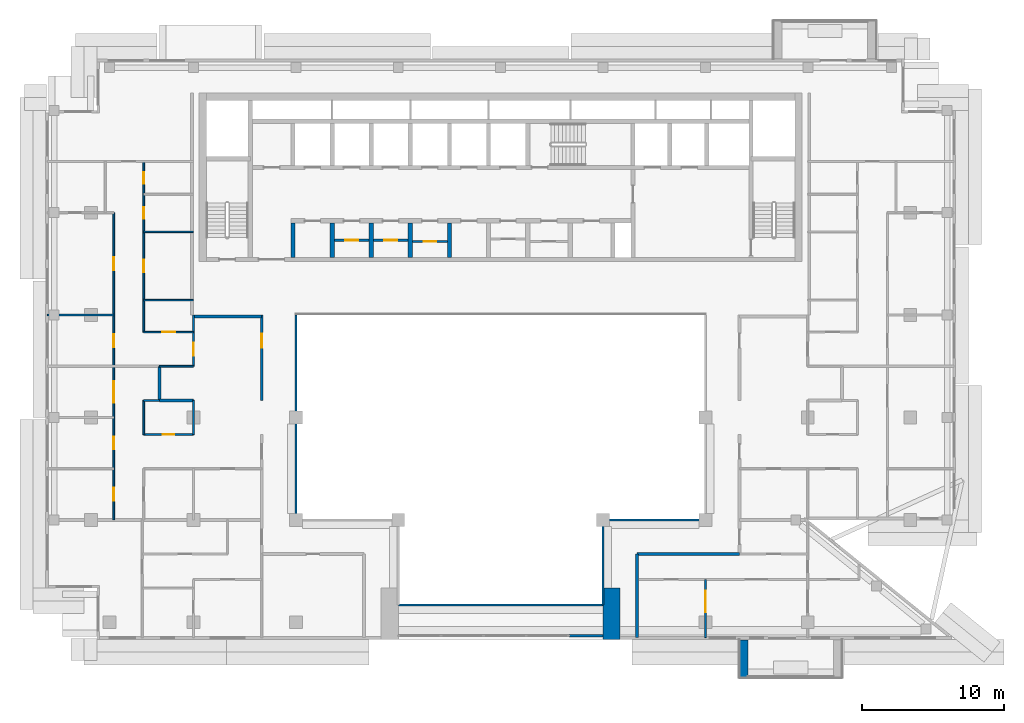
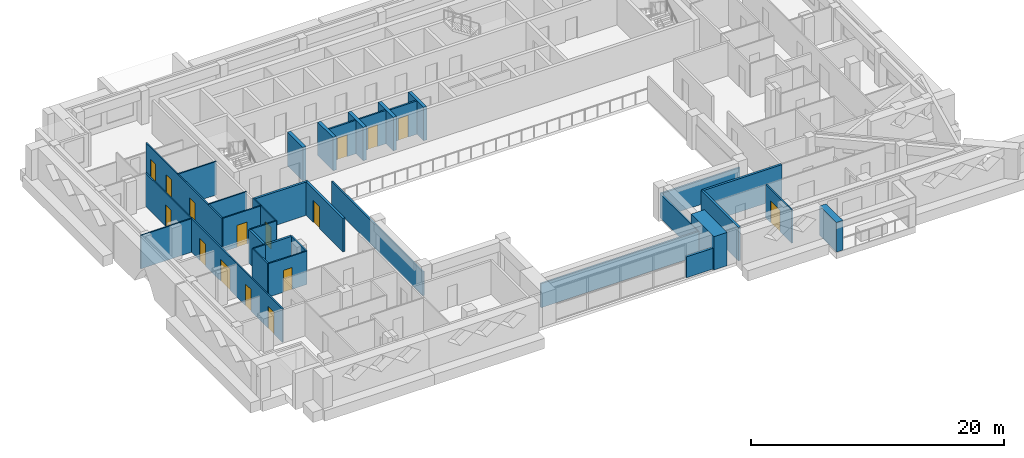
# One storey, part 7 of 19: 34 walls, 16 doors, 16 openings.
"""IFC4 building model written with IfcOpenShell, lengths in metres."""

from ifc_helpers import new_model, si_unit, direction, frame, frame_2d, origin, place, context, subcontext, project, spatial, rectangle, extrude, material, layer, layer_set, type_object, element, fill, save


model = new_model("IFC4")

# Units and contexts
model_context = context("Model", 3, precision=1e-05, world=origin(), true_north=direction((0.0, 1.0)))
body_context = subcontext(model_context, "Body", "Model", "MODEL_VIEW")
ifc_project = project(units=[si_unit("LENGTHUNIT", "METRE"), si_unit("AREAUNIT", "SQUARE_METRE"), si_unit("VOLUMEUNIT", "CUBIC_METRE"), si_unit("PLANEANGLEUNIT", "RADIAN"), si_unit("MASSUNIT", "GRAM", prefix="KILO")], contexts=[model_context])

# Site, building, storey
site_placement = place(None, origin())
site = spatial("IfcSite", under=ifc_project, at=site_placement, CompositionType="ELEMENT")
building_placement = place(site_placement, origin())
building = spatial("IfcBuilding", under=site, at=building_placement, Name="Saffron Iwan Residences", CompositionType="ELEMENT")
storey_placement = place(building_placement, frame((0.0, 0.0, 215.0)))
storey = spatial("IfcBuildingStorey", under=building, at=storey_placement, Name="L57", CompositionType="ELEMENT", Elevation=215.0)

# Walls
ifc_material_1 = material(Name="Fire-rated glazing", Category="glass")
ifc_layer_1 = layer(ifc_material_1, 0.14990234375)
ifc_layer_set_1 = layer_set([ifc_layer_1], Name="Fire-rated glazing")
wall_type_1 = type_object("IfcWallType", Name="Atrium glazed screen 150", PredefinedType="SOLIDWALL", material=ifc_layer_set_1)
wall_1_placement = place(storey_placement, frame((43.199951171875, 42.0, 0.0), z_axis=(0.0, 0.0, 1.0), x_axis=(1.0, 0.0, 0.0)))
element("IfcWall", 1, at=wall_1_placement, inside=storey, type_object=wall_type_1, Name="W-L57-SCREEN-h42-43.2", PredefinedType="SOLIDWALL", context=body_context, shape_type="SweptSolid", body=[
    extrude(rectangle(XDim=14.400146484375, YDim=0.14990234375, at=frame_2d((7.2001953125, 0.0))), origin(), (0.0, 0.0, 1.0), 2.320068359375),
])
wall_2_placement = place(storey_placement, frame((57.60009765625, 48.0, 0.0), z_axis=(0.0, 0.0, 1.0), x_axis=(1.0, 0.0, 0.0)))
element("IfcWall", 2, at=wall_2_placement, inside=storey, type_object=wall_type_1, Name="W-L57-SCREEN-h48-57.6", PredefinedType="SOLIDWALL", context=body_context, shape_type="SweptSolid", body=[
    extrude(rectangle(XDim=7.199951171875, YDim=0.14990234375, at=frame_2d((3.60009765625, 0.0))), origin(), (0.0, 0.0, 1.0), 2.320068359375),
])
wall_3_placement = place(storey_placement, frame((36.0, 48.0, 0.0), z_axis=(0.0, 0.0, 1.0), x_axis=(0.0, 1.0, 0.0)))
element("IfcWall", 3, at=wall_3_placement, inside=storey, type_object=wall_type_1, Name="W-L57-SCREEN-v36-48", PredefinedType="SOLIDWALL", context=body_context, shape_type="SweptSolid", body=[
    extrude(rectangle(XDim=14.39990234375, YDim=0.14990234375, at=frame_2d((7.199951171875, 0.0))), origin(), (0.0, 0.0, 1.0), 2.320068359375),
])
wall_4_placement = place(storey_placement, frame((57.60009765625, 42.0, 0.0), z_axis=(0.0, 0.0, 1.0), x_axis=(0.0, 1.0, 0.0)))
element("IfcWall", 4, at=wall_4_placement, inside=storey, type_object=wall_type_1, Name="W-L57-SCREEN-v57.6-42", PredefinedType="SOLIDWALL", context=body_context, shape_type="SweptSolid", body=[
    extrude(rectangle(XDim=6.0, YDim=0.14990234375, at=frame_2d((3.0, 0.0))), origin(), (0.0, 0.0, 1.0), 2.320068359375),
])
ifc_material_2 = material(Name="Concrete C50/60 white painted", Category="concrete")
ifc_layer_2 = layer(ifc_material_2, 0.60009765625)
ifc_layer_set_2 = layer_set([ifc_layer_2], Name="Concrete C50/60 white painted")
wall_type_2 = type_object("IfcWallType", Name="BALCONY FIN 600", PredefinedType="SOLIDWALL", material=ifc_layer_set_2)
wall_5_placement = place(storey_placement, frame((67.5, 39.550048828125, 0.0), z_axis=(0.0, 0.0, 1.0), x_axis=(0.0, -1.0, 0.0)))
element("IfcWall", 5, at=wall_5_placement, inside=storey, type_object=wall_type_2, Name="Balcony fin L57 11-1a", PredefinedType="SOLIDWALL", context=body_context, shape_type="SweptSolid", body=[
    extrude(rectangle(XDim=2.650146484375, YDim=0.60009765625, at=frame_2d((1.3251953125, 0.0))), origin(), (0.0, 0.0, 1.0), 2.85009765625),
])

# Wall, opening, door
ifc_material_3 = material(Name="Fire-rated plasterboard partition")
ifc_layer_3 = layer(ifc_material_3, 0.14990234375)
ifc_layer_set_3 = layer_set([ifc_layer_3], Name="Fire-rated plasterboard partition")
wall_type_3 = type_object("IfcWallType", Name="Core partition 150", PredefinedType="PARTITIONING", material=ifc_layer_set_3)
wall_6_placement = place(storey_placement, frame((38.699951171875, 67.66259765625, 0.0), z_axis=(0.0, 0.0, 1.0), x_axis=(1.0, 0.0, 0.0)))
wall_6 = element("IfcWall", 6, at=wall_6_placement, inside=storey, type_object=wall_type_3, Name="Core partition P01", PredefinedType="PARTITIONING", context=body_context, shape_type="SweptSolid", body=[
    extrude(rectangle(XDim=2.449951171875, YDim=0.14990234375, at=frame_2d((1.22509765625, 0.0))), origin(), (0.0, 0.0, 1.0), 3.219970703125),
])
opening_1_placement = place(wall_6_placement, frame((0.77490234375, 0.0, 0.0)))
opening_1 = element("IfcOpeningElement", 7, at=opening_1_placement, cuts=wall_6, Name="Opening SB", PredefinedType="OPENING", context=body_context, shape_type="SweptSolid", body=[
    extrude(rectangle(XDim=0.89990234375, YDim=2.10009765625, at=frame_2d((0.449951171875, 1.050048828125))), frame((0.0, 0.0849609375, 0.0), z_axis=(0.0, -1.0, 0.0), x_axis=(1.0, 0.0, 0.0)), (0.0, 0.0, 1.0), 0.169921875),
])
ifc_material_4 = material(Name="Steel fire door", Category="steel")
door_type_1 = type_object("IfcDoorType", Name="Store door 900", OperationType="NOTDEFINED", PredefinedType="DOOR", material=ifc_material_4)
door_1_placement = place(opening_1_placement, origin())
door_1 = element("IfcDoor", 8, at=door_1_placement, inside=storey, type_object=door_type_1, Name="Door Records store", OperationType="SINGLE_SWING_LEFT", OverallHeight=2.10009765625, OverallWidth=0.89990234375, PredefinedType="DOOR", context=body_context, shape_type="SweptSolid", body=[
    extrude(rectangle(XDim=0.89990234375, YDim=2.10009765625, at=frame_2d((0.449951171875, 1.050048828125))), frame((0.0, 0.02490234375, 0.0), z_axis=(0.0, -1.0, 0.0), x_axis=(1.0, 0.0, 0.0)), (0.0, 0.0, 1.0), 0.050048828125),
])
fill(opening_1, door_1)

wall_7_placement = place(storey_placement, frame((41.449951171875, 67.66259765625, 0.0), z_axis=(0.0, 0.0, 1.0), x_axis=(1.0, 0.0, 0.0)))
wall_7 = element("IfcWall", 9, at=wall_7_placement, inside=storey, type_object=wall_type_3, Name="Core partition P02", PredefinedType="PARTITIONING", context=body_context, shape_type="SweptSolid", body=[
    extrude(rectangle(XDim=2.449951171875, YDim=0.14990234375, at=frame_2d((1.22509765625, 0.0))), origin(), (0.0, 0.0, 1.0), 3.219970703125),
])
opening_2_placement = place(wall_7_placement, frame((0.77490234375, 0.0, 0.0)))
opening_2 = element("IfcOpeningElement", 10, at=opening_2_placement, cuts=wall_7, Name="Opening SB", PredefinedType="OPENING", context=body_context, shape_type="SweptSolid", body=[
    extrude(rectangle(XDim=0.89990234375, YDim=2.10009765625, at=frame_2d((0.449951171875, 1.050048828125))), frame((0.0, 0.0849609375, 0.0), z_axis=(0.0, -1.0, 0.0), x_axis=(1.0, 0.0, 0.0)), (0.0, 0.0, 1.0), 0.169921875),
])
door_2_placement = place(opening_2_placement, origin())
door_2 = element("IfcDoor", 11, at=door_2_placement, inside=storey, type_object=door_type_1, Name="Door Stationery store", OperationType="SINGLE_SWING_RIGHT", OverallHeight=2.10009765625, OverallWidth=0.89990234375, PredefinedType="DOOR", context=body_context, shape_type="SweptSolid", body=[
    extrude(rectangle(XDim=0.89990234375, YDim=2.10009765625, at=frame_2d((0.449951171875, 1.050048828125))), frame((0.0, 0.02490234375, 0.0), z_axis=(0.0, -1.0, 0.0), x_axis=(1.0, 0.0, 0.0)), (0.0, 0.0, 1.0), 0.050048828125),
])
fill(opening_2, door_2)

wall_8_placement = place(storey_placement, frame((44.199951171875, 67.5654296875, 0.0), z_axis=(0.0, 0.0, 1.0), x_axis=(1.0, 0.0, 0.0)))
wall_8 = element("IfcWall", 12, at=wall_8_placement, inside=storey, type_object=wall_type_3, Name="Core partition P03", PredefinedType="PARTITIONING", context=body_context, shape_type="SweptSolid", body=[
    extrude(rectangle(XDim=2.449951171875, YDim=0.14990234375, at=frame_2d((1.22509765625, 0.0))), origin(), (0.0, 0.0, 1.0), 3.219970703125),
])
opening_3_placement = place(wall_8_placement, frame((0.77490234375, 0.0, 0.0)))
opening_3 = element("IfcOpeningElement", 13, at=opening_3_placement, cuts=wall_8, Name="Opening SB", PredefinedType="OPENING", context=body_context, shape_type="SweptSolid", body=[
    extrude(rectangle(XDim=0.89990234375, YDim=2.10009765625, at=frame_2d((0.449951171875, 1.050048828125))), frame((0.0, 0.0849609375, 0.0), z_axis=(0.0, -1.0, 0.0), x_axis=(1.0, 0.0, 0.0)), (0.0, 0.0, 1.0), 0.169921875),
])
door_3_placement = place(opening_3_placement, origin())
door_3 = element("IfcDoor", 14, at=door_3_placement, inside=storey, type_object=door_type_1, Name="Door Tool store", OperationType="SINGLE_SWING_LEFT", OverallHeight=2.10009765625, OverallWidth=0.89990234375, PredefinedType="DOOR", context=body_context, shape_type="SweptSolid", body=[
    extrude(rectangle(XDim=0.89990234375, YDim=2.10009765625, at=frame_2d((0.449951171875, 1.050048828125))), frame((0.0, 0.02490234375, 0.0), z_axis=(0.0, -1.0, 0.0), x_axis=(1.0, 0.0, 0.0)), (0.0, 0.0, 1.0), 0.050048828125),
])
fill(opening_3, door_3)

# Walls
ifc_material_5 = material(Name="Concrete C40/50", Category="concrete")
ifc_layer_4 = layer(ifc_material_5, 0.199951171875)
ifc_layer_set_4 = layer_set([ifc_layer_4], Name="Concrete C40/50")
wall_type_4 = type_object("IfcWallType", Name="EXTERNAL WALL 200", PredefinedType="SOLIDWALL", material=ifc_layer_set_4)
wall_9_placement = place(storey_placement, frame((55.199951171875, 39.85009765625, 0.0), z_axis=(0.0, 0.0, 1.0), x_axis=(1.0, 0.0, 0.0)))
element("IfcWall", 15, at=wall_9_placement, inside=storey, type_object=wall_type_4, Name="External wall infill CWB-L57-0", PredefinedType="SOLIDWALL", context=body_context, shape_type="SweptSolid", body=[
    extrude(rectangle(XDim=2.400146484375, YDim=0.199951171875, at=frame_2d((1.2001953125, 0.0))), origin(), (0.0, 0.0, 1.0), 2.02001953125),
])
ifc_material_6 = material(Name="Fire-rated gypsum board wall")
ifc_layer_5 = layer(ifc_material_6, 0.199951171875)
ifc_layer_set_5 = layer_set([ifc_layer_5], Name="Fire-rated gypsum board wall")
wall_type_5 = type_object("IfcWallType", Name="Flat demising wall 200", PredefinedType="SOLIDWALL", material=ifc_layer_set_5)
for number, where, z_axis, x_axis, name in (
    (16, (26.39990234375, 56.39990234375, 0.0), (0.0, 0.0, 1.0), (1.0, 0.0, 0.0), "W-L57-DEMISE-h56.4-26.4"),
    (17, (26.39990234375, 56.39990234375, 0.0), (0.0, 0.0, 1.0), (0.0, 1.0, 0.0), "W-L57-DEMISE-v26.4-56.4"),
):
    element("IfcWall", number, at=place(storey_placement, frame(where, z_axis=z_axis, x_axis=x_axis)), inside=storey, type_object=wall_type_5, Name=name, PredefinedType="SOLIDWALL", context=body_context, shape_type="SweptSolid", body=[
        extrude(rectangle(XDim=2.400146484375, YDim=0.199951171875, at=frame_2d((1.2001953125, 0.0))), origin(), (0.0, 0.0, 1.0), 3.219970703125),
    ])

# Wall, opening, door
ifc_material_7 = material(Name="Gypsum board partition")
ifc_layer_6 = layer(ifc_material_7, 0.1201171875)
ifc_layer_set_6 = layer_set([ifc_layer_6], Name="Gypsum board partition")
wall_type_6 = type_object("IfcWallType", Name="Flat partition 120", PredefinedType="PARTITIONING", material=ifc_layer_set_6)
wall_10_placement = place(storey_placement, frame((25.300048828125, 54.0, 0.0), z_axis=(0.0, 0.0, 1.0), x_axis=(1.0, 0.0, 0.0)))
wall_10 = element("IfcWall", 18, at=wall_10_placement, inside=storey, type_object=wall_type_6, Name="W-L57-PART-h54-25.3", PredefinedType="PARTITIONING", context=body_context, shape_type="SweptSolid", body=[
    extrude(rectangle(XDim=3.5, YDim=0.1201171875, at=frame_2d((1.75, 0.0))), origin(), (0.0, 0.0, 1.0), 3.219970703125),
])
opening_4_placement = place(wall_10_placement, frame((1.35009765625, 0.0, 0.0)))
opening_4 = element("IfcOpeningElement", 19, at=opening_4_placement, cuts=wall_10, Name="Opening FD3", PredefinedType="OPENING", context=body_context, shape_type="SweptSolid", body=[
    extrude(rectangle(XDim=0.800048828125, YDim=2.10009765625, at=frame_2d((0.39990234375, 1.050048828125))), frame((0.0, 0.070068359375, 0.0), z_axis=(0.0, -1.0, 0.0), x_axis=(1.0, 0.0, 0.0)), (0.0, 0.0, 1.0), 0.14013671875),
])
ifc_material_8 = material(Name="Timber door", Category="wood")
door_type_2 = type_object("IfcDoorType", Name="Bathroom door 800", OperationType="NOTDEFINED", PredefinedType="DOOR", material=ifc_material_8)
door_4_placement = place(opening_4_placement, origin())
door_4 = element("IfcDoor", 20, at=door_4_placement, inside=storey, type_object=door_type_2, Name="Door L57-012", OperationType="SINGLE_SWING_LEFT", OverallHeight=2.10009765625, OverallWidth=0.800048828125, PredefinedType="DOOR", context=body_context, shape_type="SweptSolid", body=[
    extrude(rectangle(XDim=0.800048828125, YDim=2.10009765625, at=frame_2d((0.39990234375, 1.050048828125))), frame((0.0, 0.02490234375, 0.0), z_axis=(0.0, -1.0, 0.0), x_axis=(1.0, 0.0, 0.0)), (0.0, 0.0, 1.0), 0.050048828125),
])
fill(opening_4, door_4)

# Walls
wall_11_placement = place(storey_placement, frame((25.300048828125, 56.39990234375, 0.0), z_axis=(0.0, 0.0, 1.0), x_axis=(1.0, 0.0, 0.0)))
element("IfcWall", 21, at=wall_11_placement, inside=storey, type_object=wall_type_6, Name="W-L57-PART-h56.4-25.3", PredefinedType="PARTITIONING", context=body_context, shape_type="SweptSolid", body=[
    extrude(rectangle(XDim=1.099853515625, YDim=0.1201171875, at=frame_2d((0.5498046875, 0.0))), origin(), (0.0, 0.0, 1.0), 3.219970703125),
])
wall_12_placement = place(storey_placement, frame((26.39990234375, 58.800048828125, 0.0), z_axis=(0.0, 0.0, 1.0), x_axis=(1.0, 0.0, 0.0)))
element("IfcWall", 22, at=wall_12_placement, inside=storey, type_object=wall_type_6, Name="W-L57-PART-h58.8-26.4", PredefinedType="PARTITIONING", context=body_context, shape_type="SweptSolid", body=[
    extrude(rectangle(XDim=2.400146484375, YDim=0.1201171875, at=frame_2d((1.2001953125, 0.0))), origin(), (0.0, 0.0, 1.0), 3.219970703125),
])

# Wall, opening, door
wall_13_placement = place(storey_placement, frame((25.300048828125, 61.199951171875, 0.0), z_axis=(0.0, 0.0, 1.0), x_axis=(1.0, 0.0, 0.0)))
wall_13 = element("IfcWall", 23, at=wall_13_placement, inside=storey, type_object=wall_type_6, Name="W-L57-PART-h61.2-25.3", PredefinedType="PARTITIONING", context=body_context, shape_type="SweptSolid", body=[
    extrude(rectangle(XDim=3.5, YDim=0.1201171875, at=frame_2d((1.75, 0.0))), origin(), (0.0, 0.0, 1.0), 3.219970703125),
])
opening_5_placement = place(wall_13_placement, frame((1.300048828125, 0.0, 0.0)))
opening_5 = element("IfcOpeningElement", 24, at=opening_5_placement, cuts=wall_13, Name="Opening FD2", PredefinedType="OPENING", context=body_context, shape_type="SweptSolid", body=[
    extrude(rectangle(XDim=0.89990234375, YDim=2.10009765625, at=frame_2d((0.449951171875, 1.050048828125))), frame((0.0, 0.070068359375, 0.0), z_axis=(0.0, -1.0, 0.0), x_axis=(1.0, 0.0, 0.0)), (0.0, 0.0, 1.0), 0.14013671875),
])
door_type_3 = type_object("IfcDoorType", Name="Flat door 900", OperationType="NOTDEFINED", PredefinedType="DOOR", material=ifc_material_8)
door_5_placement = place(opening_5_placement, origin())
door_5 = element("IfcDoor", 25, at=door_5_placement, inside=storey, type_object=door_type_3, Name="Door L57-026", OperationType="SINGLE_SWING_LEFT", OverallHeight=2.10009765625, OverallWidth=0.89990234375, PredefinedType="DOOR", context=body_context, shape_type="SweptSolid", body=[
    extrude(rectangle(XDim=0.89990234375, YDim=2.10009765625, at=frame_2d((0.449951171875, 1.050048828125))), frame((0.0, 0.02490234375, 0.0), z_axis=(0.0, -1.0, 0.0), x_axis=(1.0, 0.0, 0.0)), (0.0, 0.0, 1.0), 0.050048828125),
])
fill(opening_5, door_5)

# Walls
wall_14_placement = place(storey_placement, frame((18.52490234375, 62.39990234375, 0.0), z_axis=(0.0, 0.0, 1.0), x_axis=(1.0, 0.0, 0.0)))
element("IfcWall", 26, at=wall_14_placement, inside=storey, type_object=wall_type_6, Name="W-L57-PART-h62.4-18.525", PredefinedType="PARTITIONING", context=body_context, shape_type="SweptSolid", body=[
    extrude(rectangle(XDim=4.675048828125, YDim=0.1201171875, at=frame_2d((2.33740234375, 0.0))), origin(), (0.0, 0.0, 1.0), 3.219970703125),
])
for number, where, z_axis, x_axis, name in (
    (27, (25.300048828125, 63.449951171875, 0.0), (0.0, 0.0, 1.0), (1.0, 0.0, 0.0), "W-L57-PART-h63.45-25.3"),
    (28, (25.300048828125, 68.25, 0.0), (0.0, 0.0, 1.0), (1.0, 0.0, 0.0), "W-L57-PART-h68.25-25.3"),
):
    element("IfcWall", number, at=place(storey_placement, frame(where, z_axis=z_axis, x_axis=x_axis)), inside=storey, type_object=wall_type_6, Name=name, PredefinedType="PARTITIONING", context=body_context, shape_type="SweptSolid", body=[
        extrude(rectangle(XDim=3.5, YDim=0.1201171875, at=frame_2d((1.75, 0.0))), origin(), (0.0, 0.0, 1.0), 3.219970703125),
    ])

# Wall, openings, doors
wall_15_placement = place(storey_placement, frame((23.199951171875, 48.0, 0.0), z_axis=(0.0, 0.0, 1.0), x_axis=(0.0, 1.0, 0.0)))
wall_15 = element("IfcWall", 29, at=wall_15_placement, inside=storey, type_object=wall_type_6, Name="W-L57-PART-v23.2-48", PredefinedType="PARTITIONING", context=body_context, shape_type="SweptSolid", body=[
    extrude(rectangle(XDim=21.60009765625, YDim=0.1201171875, at=frame_2d((10.800048828125, 0.0))), origin(), (0.0, 0.0, 1.0), 3.219970703125),
])
opening_6_placement = place(wall_15_placement, frame((1.35009765625, 0.0, 0.0)))
opening_6 = element("IfcOpeningElement", 30, at=opening_6_placement, cuts=wall_15, Name="Opening FD2", PredefinedType="OPENING", context=body_context, shape_type="SweptSolid", body=[
    extrude(rectangle(XDim=0.89990234375, YDim=2.10009765625, at=frame_2d((0.449951171875, 1.050048828125))), frame((0.0, 0.070068359375, 0.0), z_axis=(0.0, -1.0, 0.0), x_axis=(1.0, 0.0, 0.0)), (0.0, 0.0, 1.0), 0.14013671875),
])
opening_7_placement = place(wall_15_placement, frame((4.949951171875, 0.0, 0.0)))
opening_7 = element("IfcOpeningElement", 31, at=opening_7_placement, cuts=wall_15, Name="Opening FD2", PredefinedType="OPENING", context=body_context, shape_type="SweptSolid", body=[
    extrude(rectangle(XDim=0.89990234375, YDim=2.10009765625, at=frame_2d((0.449951171875, 1.050048828125))), frame((0.0, 0.070068359375, 0.0), z_axis=(0.0, -1.0, 0.0), x_axis=(1.0, 0.0, 0.0)), (0.0, 0.0, 1.0), 0.14013671875),
])
opening_8_placement = place(wall_15_placement, frame((8.25, 0.0, 0.0)))
opening_8 = element("IfcOpeningElement", 32, at=opening_8_placement, cuts=wall_15, Name="Opening FD4", PredefinedType="OPENING", context=body_context, shape_type="SweptSolid", body=[
    extrude(rectangle(XDim=1.5, YDim=2.10009765625, at=frame_2d((0.75, 1.050048828125))), frame((0.0, 0.070068359375, 0.0), z_axis=(0.0, -1.0, 0.0), x_axis=(1.0, 0.0, 0.0)), (0.0, 0.0, 1.0), 0.14013671875),
])
opening_9_placement = place(wall_15_placement, frame((12.14990234375, 0.0, 0.0)))
opening_9 = element("IfcOpeningElement", 33, at=opening_9_placement, cuts=wall_15, Name="Opening FD2", PredefinedType="OPENING", context=body_context, shape_type="SweptSolid", body=[
    extrude(rectangle(XDim=0.89990234375, YDim=2.10009765625, at=frame_2d((0.449951171875, 1.050048828125))), frame((0.0, 0.070068359375, 0.0), z_axis=(0.0, -1.0, 0.0), x_axis=(1.0, 0.0, 0.0)), (0.0, 0.0, 1.0), 0.14013671875),
])
opening_10_placement = place(wall_15_placement, frame((17.550048828125, 0.0, 0.0)))
opening_10 = element("IfcOpeningElement", 34, at=opening_10_placement, cuts=wall_15, Name="Opening FD2", PredefinedType="OPENING", context=body_context, shape_type="SweptSolid", body=[
    extrude(rectangle(XDim=0.89990234375, YDim=2.10009765625, at=frame_2d((0.449951171875, 1.050048828125))), frame((0.0, 0.070068359375, 0.0), z_axis=(0.0, -1.0, 0.0), x_axis=(1.0, 0.0, 0.0)), (0.0, 0.0, 1.0), 0.14013671875),
])
door_type_4 = type_object("IfcDoorType", Name="Double door 1500", OperationType="NOTDEFINED", PredefinedType="DOOR", material=ifc_material_8)
door_6_placement = place(opening_8_placement, origin())
door_6 = element("IfcDoor", 35, at=door_6_placement, inside=storey, type_object=door_type_4, Name="Door L57-010", OperationType="SINGLE_SWING_RIGHT", OverallHeight=2.10009765625, OverallWidth=1.5, PredefinedType="DOOR", context=body_context, shape_type="SweptSolid", body=[
    extrude(rectangle(XDim=1.5, YDim=2.10009765625, at=frame_2d((0.75, 1.050048828125))), frame((0.0, 0.02490234375, 0.0), z_axis=(0.0, -1.0, 0.0), x_axis=(1.0, 0.0, 0.0)), (0.0, 0.0, 1.0), 0.050048828125),
])
fill(opening_8, door_6)
door_7_placement = place(opening_6_placement, origin())
door_7 = element("IfcDoor", 36, at=door_7_placement, inside=storey, type_object=door_type_3, Name="Door L57-008", OperationType="SINGLE_SWING_LEFT", OverallHeight=2.10009765625, OverallWidth=0.89990234375, PredefinedType="DOOR", context=body_context, shape_type="SweptSolid", body=[
    extrude(rectangle(XDim=0.89990234375, YDim=2.10009765625, at=frame_2d((0.449951171875, 1.050048828125))), frame((0.0, 0.02490234375, 0.0), z_axis=(0.0, -1.0, 0.0), x_axis=(1.0, 0.0, 0.0)), (0.0, 0.0, 1.0), 0.050048828125),
])
fill(opening_6, door_7)
door_8_placement = place(opening_7_placement, origin())
door_8 = element("IfcDoor", 37, at=door_8_placement, inside=storey, type_object=door_type_3, Name="Door L57-009", OperationType="SINGLE_SWING_LEFT", OverallHeight=2.10009765625, OverallWidth=0.89990234375, PredefinedType="DOOR", context=body_context, shape_type="SweptSolid", body=[
    extrude(rectangle(XDim=0.89990234375, YDim=2.10009765625, at=frame_2d((0.449951171875, 1.050048828125))), frame((0.0, 0.02490234375, 0.0), z_axis=(0.0, -1.0, 0.0), x_axis=(1.0, 0.0, 0.0)), (0.0, 0.0, 1.0), 0.050048828125),
])
fill(opening_7, door_8)
door_9_placement = place(opening_9_placement, origin())
door_9 = element("IfcDoor", 38, at=door_9_placement, inside=storey, type_object=door_type_3, Name="Door L57-022", OperationType="SINGLE_SWING_RIGHT", OverallHeight=2.10009765625, OverallWidth=0.89990234375, PredefinedType="DOOR", context=body_context, shape_type="SweptSolid", body=[
    extrude(rectangle(XDim=0.89990234375, YDim=2.10009765625, at=frame_2d((0.449951171875, 1.050048828125))), frame((0.0, 0.02490234375, 0.0), z_axis=(0.0, -1.0, 0.0), x_axis=(1.0, 0.0, 0.0)), (0.0, 0.0, 1.0), 0.050048828125),
])
fill(opening_9, door_9)
door_10_placement = place(opening_10_placement, origin())
door_10 = element("IfcDoor", 39, at=door_10_placement, inside=storey, type_object=door_type_3, Name="Door L57-023", OperationType="SINGLE_SWING_LEFT", OverallHeight=2.10009765625, OverallWidth=0.89990234375, PredefinedType="DOOR", context=body_context, shape_type="SweptSolid", body=[
    extrude(rectangle(XDim=0.89990234375, YDim=2.10009765625, at=frame_2d((0.449951171875, 1.050048828125))), frame((0.0, 0.02490234375, 0.0), z_axis=(0.0, -1.0, 0.0), x_axis=(1.0, 0.0, 0.0)), (0.0, 0.0, 1.0), 0.050048828125),
])
fill(opening_10, door_10)

# Wall
wall_16_placement = place(storey_placement, frame((25.300048828125, 54.0, 0.0), z_axis=(0.0, 0.0, 1.0), x_axis=(0.0, 1.0, 0.0)))
element("IfcWall", 40, at=wall_16_placement, inside=storey, type_object=wall_type_6, Name="W-L57-PART-v25.3-54", PredefinedType="PARTITIONING", context=body_context, shape_type="SweptSolid", body=[
    extrude(rectangle(XDim=2.39990234375, YDim=0.1201171875, at=frame_2d((1.199951171875, 0.0))), origin(), (0.0, 0.0, 1.0), 3.219970703125),
])

# Wall, openings, doors
wall_17_placement = place(storey_placement, frame((25.300048828125, 61.199951171875, 0.0), z_axis=(0.0, 0.0, 1.0), x_axis=(0.0, 1.0, 0.0)))
wall_17 = element("IfcWall", 41, at=wall_17_placement, inside=storey, type_object=wall_type_6, Name="W-L57-PART-v25.3-61.2", PredefinedType="PARTITIONING", context=body_context, shape_type="SweptSolid", body=[
    extrude(rectangle(XDim=12.0, YDim=0.1201171875, at=frame_2d((6.0, 0.0))), origin(), (0.0, 0.0, 1.0), 3.219970703125),
])
opening_11_placement = place(wall_17_placement, frame((4.199951171875, 0.0, 0.0)))
opening_11 = element("IfcOpeningElement", 42, at=opening_11_placement, cuts=wall_17, Name="Opening FD2", PredefinedType="OPENING", context=body_context, shape_type="SweptSolid", body=[
    extrude(rectangle(XDim=0.89990234375, YDim=2.10009765625, at=frame_2d((0.449951171875, 1.050048828125))), frame((0.0, 0.070068359375, 0.0), z_axis=(0.0, -1.0, 0.0), x_axis=(1.0, 0.0, 0.0)), (0.0, 0.0, 1.0), 0.14013671875),
])
opening_12_placement = place(wall_17_placement, frame((7.97509765625, 0.0, 0.0)))
opening_12 = element("IfcOpeningElement", 43, at=opening_12_placement, cuts=wall_17, Name="Opening FD3", PredefinedType="OPENING", context=body_context, shape_type="SweptSolid", body=[
    extrude(rectangle(XDim=0.800048828125, YDim=2.10009765625, at=frame_2d((0.39990234375, 1.050048828125))), frame((0.0, 0.070068359375, 0.0), z_axis=(0.0, -1.0, 0.0), x_axis=(1.0, 0.0, 0.0)), (0.0, 0.0, 1.0), 0.14013671875),
])
opening_13_placement = place(wall_17_placement, frame((10.449951171875, 0.0, 0.0)))
opening_13 = element("IfcOpeningElement", 44, at=opening_13_placement, cuts=wall_17, Name="Opening FD3", PredefinedType="OPENING", context=body_context, shape_type="SweptSolid", body=[
    extrude(rectangle(XDim=0.800048828125, YDim=2.10009765625, at=frame_2d((0.39990234375, 1.050048828125))), frame((0.0, 0.070068359375, 0.0), z_axis=(0.0, -1.0, 0.0), x_axis=(1.0, 0.0, 0.0)), (0.0, 0.0, 1.0), 0.14013671875),
])
door_11_placement = place(opening_12_placement, origin())
door_11 = element("IfcDoor", 45, at=door_11_placement, inside=storey, type_object=door_type_2, Name="Door L57-028", OperationType="SINGLE_SWING_RIGHT", OverallHeight=2.10009765625, OverallWidth=0.800048828125, PredefinedType="DOOR", context=body_context, shape_type="SweptSolid", body=[
    extrude(rectangle(XDim=0.800048828125, YDim=2.10009765625, at=frame_2d((0.39990234375, 1.050048828125))), frame((0.0, 0.02490234375, 0.0), z_axis=(0.0, -1.0, 0.0), x_axis=(1.0, 0.0, 0.0)), (0.0, 0.0, 1.0), 0.050048828125),
])
fill(opening_12, door_11)
door_12_placement = place(opening_13_placement, origin())
door_12 = element("IfcDoor", 46, at=door_12_placement, inside=storey, type_object=door_type_2, Name="Door L57-029", OperationType="SINGLE_SWING_LEFT", OverallHeight=2.10009765625, OverallWidth=0.800048828125, PredefinedType="DOOR", context=body_context, shape_type="SweptSolid", body=[
    extrude(rectangle(XDim=0.800048828125, YDim=2.10009765625, at=frame_2d((0.39990234375, 1.050048828125))), frame((0.0, 0.02490234375, 0.0), z_axis=(0.0, -1.0, 0.0), x_axis=(1.0, 0.0, 0.0)), (0.0, 0.0, 1.0), 0.050048828125),
])
fill(opening_13, door_12)
door_13_placement = place(opening_11_placement, origin())
door_13 = element("IfcDoor", 47, at=door_13_placement, inside=storey, type_object=door_type_3, Name="Door L57-027", OperationType="SINGLE_SWING_LEFT", OverallHeight=2.10009765625, OverallWidth=0.89990234375, PredefinedType="DOOR", context=body_context, shape_type="SweptSolid", body=[
    extrude(rectangle(XDim=0.89990234375, YDim=2.10009765625, at=frame_2d((0.449951171875, 1.050048828125))), frame((0.0, 0.02490234375, 0.0), z_axis=(0.0, -1.0, 0.0), x_axis=(1.0, 0.0, 0.0)), (0.0, 0.0, 1.0), 0.050048828125),
])
fill(opening_11, door_13)

# Wall
wall_18_placement = place(storey_placement, frame((28.800048828125, 54.0, 0.0), z_axis=(0.0, 0.0, 1.0), x_axis=(0.0, 1.0, 0.0)))
element("IfcWall", 48, at=wall_18_placement, inside=storey, type_object=wall_type_6, Name="W-L57-PART-v28.8-54", PredefinedType="PARTITIONING", context=body_context, shape_type="SweptSolid", body=[
    extrude(rectangle(XDim=2.39990234375, YDim=0.1201171875, at=frame_2d((1.199951171875, 0.0))), origin(), (0.0, 0.0, 1.0), 3.219970703125),
])

# Wall, opening, door
wall_19_placement = place(storey_placement, frame((28.800048828125, 58.800048828125, 0.0), z_axis=(0.0, 0.0, 1.0), x_axis=(0.0, 1.0, 0.0)))
wall_19 = element("IfcWall", 49, at=wall_19_placement, inside=storey, type_object=wall_type_6, Name="W-L57-PART-v28.8-58.8", PredefinedType="PARTITIONING", context=body_context, shape_type="SweptSolid", body=[
    extrude(rectangle(XDim=3.599853515625, YDim=0.1201171875, at=frame_2d((1.7998046875, 0.0))), origin(), (0.0, 0.0, 1.0), 3.219970703125),
])
opening_14_placement = place(wall_19_placement, frame((0.75, 0.0, 0.0)))
opening_14 = element("IfcOpeningElement", 50, at=opening_14_placement, cuts=wall_19, Name="Opening FD2", PredefinedType="OPENING", context=body_context, shape_type="SweptSolid", body=[
    extrude(rectangle(XDim=0.89990234375, YDim=2.10009765625, at=frame_2d((0.449951171875, 1.050048828125))), frame((0.0, 0.070068359375, 0.0), z_axis=(0.0, -1.0, 0.0), x_axis=(1.0, 0.0, 0.0)), (0.0, 0.0, 1.0), 0.14013671875),
])
door_14_placement = place(opening_14_placement, origin())
door_14 = element("IfcDoor", 51, at=door_14_placement, inside=storey, type_object=door_type_3, Name="Door L57-020", OperationType="SINGLE_SWING_LEFT", OverallHeight=2.10009765625, OverallWidth=0.89990234375, PredefinedType="DOOR", context=body_context, shape_type="SweptSolid", body=[
    extrude(rectangle(XDim=0.89990234375, YDim=2.10009765625, at=frame_2d((0.449951171875, 1.050048828125))), frame((0.0, 0.02490234375, 0.0), z_axis=(0.0, -1.0, 0.0), x_axis=(1.0, 0.0, 0.0)), (0.0, 0.0, 1.0), 0.050048828125),
])
fill(opening_14, door_14)

wall_20_placement = place(storey_placement, frame((64.800048828125, 39.72509765625, 0.0), z_axis=(0.0, 0.0, 1.0), x_axis=(0.0, 1.0, 0.0)))
wall_20 = element("IfcWall", 52, at=wall_20_placement, inside=storey, type_object=wall_type_6, Name="W-L57-PART-v64.8-39.725", PredefinedType="PARTITIONING", context=body_context, shape_type="SweptSolid", body=[
    extrude(rectangle(XDim=4.074951171875, YDim=0.1201171875, at=frame_2d((2.03759765625, 0.0))), origin(), (0.0, 0.0, 1.0), 3.219970703125),
])
opening_15_placement = place(wall_20_placement, frame((1.78759765625, 0.0, 0.0)))
opening_15 = element("IfcOpeningElement", 53, at=opening_15_placement, cuts=wall_20, Name="Opening FD4", PredefinedType="OPENING", context=body_context, shape_type="SweptSolid", body=[
    extrude(rectangle(XDim=1.5, YDim=2.10009765625, at=frame_2d((0.75, 1.050048828125))), frame((0.0, 0.070068359375, 0.0), z_axis=(0.0, -1.0, 0.0), x_axis=(1.0, 0.0, 0.0)), (0.0, 0.0, 1.0), 0.14013671875),
])
door_15_placement = place(opening_15_placement, origin())
door_15 = element("IfcDoor", 54, at=door_15_placement, inside=storey, type_object=door_type_4, Name="Door L57-040", OperationType="SINGLE_SWING_LEFT", OverallHeight=2.10009765625, OverallWidth=1.5, PredefinedType="DOOR", context=body_context, shape_type="SweptSolid", body=[
    extrude(rectangle(XDim=1.5, YDim=2.10009765625, at=frame_2d((0.75, 1.050048828125))), frame((0.0, 0.02490234375, 0.0), z_axis=(0.0, -1.0, 0.0), x_axis=(1.0, 0.0, 0.0)), (0.0, 0.0, 1.0), 0.050048828125),
])
fill(opening_15, door_15)

# Walls
ifc_layer_7 = layer(ifc_material_6, 0.199951171875)
ifc_layer_set_7 = layer_set([ifc_layer_7], Name="Fire-rated gypsum board wall")
wall_type_7 = type_object("IfcWallType", Name="Gallery wall 200", PredefinedType="SOLIDWALL", material=ifc_layer_set_7)
wall_21_placement = place(storey_placement, frame((60.0, 45.60009765625, 0.0), z_axis=(0.0, 0.0, 1.0), x_axis=(1.0, 0.0, 0.0)))
element("IfcWall", 55, at=wall_21_placement, inside=storey, type_object=wall_type_7, Name="W-L57-CORR-h45.6-60", PredefinedType="SOLIDWALL", context=body_context, shape_type="SweptSolid", body=[
    extrude(rectangle(XDim=7.199951171875, YDim=0.199951171875, at=frame_2d((3.60009765625, 0.0))), origin(), (0.0, 0.0, 1.0), 3.219970703125),
])
wall_22_placement = place(storey_placement, frame((28.800048828125, 62.300048828125, 0.0), z_axis=(0.0, 0.0, 1.0), x_axis=(1.0, 0.0, 0.0)))
element("IfcWall", 56, at=wall_22_placement, inside=storey, type_object=wall_type_7, Name="W-L57-CORR-h62.4-28.8", PredefinedType="SOLIDWALL", context=body_context, shape_type="SweptSolid", body=[
    extrude(rectangle(XDim=4.800048828125, YDim=0.199951171875, at=frame_2d((2.39990234375, 0.0))), origin(), (0.0, 0.0, 1.0), 3.219970703125),
])

# Wall, opening, door
wall_23_placement = place(storey_placement, frame((33.60009765625, 56.39990234375, 0.0), z_axis=(0.0, 0.0, 1.0), x_axis=(0.0, 1.0, 0.0)))
wall_23 = element("IfcWall", 57, at=wall_23_placement, inside=storey, type_object=wall_type_7, Name="W-L57-CORR-v33.6-56.4", PredefinedType="SOLIDWALL", context=body_context, shape_type="SweptSolid", body=[
    extrude(rectangle(XDim=6.0, YDim=0.199951171875, at=frame_2d((3.0, 0.0))), origin(), (0.0, 0.0, 1.0), 3.219970703125),
])
opening_16_placement = place(wall_23_placement, frame((3.699951171875, 0.0, 0.0)))
opening_16 = element("IfcOpeningElement", 58, at=opening_16_placement, cuts=wall_23, Name="Opening FD5", PredefinedType="OPENING", context=body_context, shape_type="SweptSolid", body=[
    extrude(rectangle(XDim=1.0, YDim=2.10009765625, at=frame_2d((0.5, 1.050048828125))), frame((0.0, 0.10986328125, 0.0), z_axis=(0.0, -1.0, 0.0), x_axis=(1.0, 0.0, 0.0)), (0.0, 0.0, 1.0), 0.219970703125),
])
ifc_material_9 = material(Name="Fire-rated timber door", Category="wood")
door_type_5 = type_object("IfcDoorType", Name="Lobby door 1000", OperationType="NOTDEFINED", PredefinedType="DOOR", material=ifc_material_9)
door_16_placement = place(opening_16_placement, origin())
door_16 = element("IfcDoor", 59, at=door_16_placement, inside=storey, type_object=door_type_5, Name="Door L57-021", OperationType="SINGLE_SWING_LEFT", OverallHeight=2.10009765625, OverallWidth=1.0, PredefinedType="DOOR", context=body_context, shape_type="SweptSolid", body=[
    extrude(rectangle(XDim=1.0, YDim=2.10009765625, at=frame_2d((0.5, 1.050048828125))), frame((0.0, 0.02490234375, 0.0), z_axis=(0.0, -1.0, 0.0), x_axis=(1.0, 0.0, 0.0)), (0.0, 0.0, 1.0), 0.050048828125),
])
fill(opening_16, door_16)

# Walls
wall_24_placement = place(storey_placement, frame((60.0, 39.72509765625, 0.0), z_axis=(0.0, 0.0, 1.0), x_axis=(0.0, 1.0, 0.0)))
element("IfcWall", 60, at=wall_24_placement, inside=storey, type_object=wall_type_7, Name="W-L57-CORR-v60-39.725", PredefinedType="SOLIDWALL", context=body_context, shape_type="SweptSolid", body=[
    extrude(rectangle(XDim=5.875, YDim=0.199951171875, at=frame_2d((2.9375, 0.0))), origin(), (0.0, 0.0, 1.0), 3.219970703125),
])
ifc_layer_8 = layer(ifc_material_5, 0.300048828125)
ifc_layer_set_8 = layer_set([ifc_layer_8], Name="Concrete C40/50")
wall_type_8 = type_object("IfcWallType", Name="WALL CORE 300 C40/50 3220 HIGH", PredefinedType="SHEAR", material=ifc_layer_set_8)
for number, where, z_axis, x_axis, name in (
    (61, (35.800048828125, 66.449951171875, 0.0), (0.0, 0.0, 1.0), (0.0, 1.0, 0.0), "Core wall"),
    (62, (38.550048828125, 66.449951171875, 0.0), (0.0, 0.0, 1.0), (0.0, 1.0, 0.0), "Core wall"),
    (63, (41.300048828125, 66.449951171875, 0.0), (0.0, 0.0, 1.0), (0.0, 1.0, 0.0), "Core wall"),
    (64, (44.050048828125, 66.449951171875, 0.0), (0.0, 0.0, 1.0), (0.0, 1.0, 0.0), "Core wall"),
    (65, (46.800048828125, 66.449951171875, 0.0), (0.0, 0.0, 1.0), (0.0, 1.0, 0.0), "Core wall"),
):
    element("IfcWall", number, at=place(storey_placement, frame(where, z_axis=z_axis, x_axis=x_axis)), inside=storey, type_object=wall_type_8, Name=name, PredefinedType="SHEAR", context=body_context, shape_type="SweptSolid", body=[
        extrude(rectangle(XDim=2.425048828125, YDim=0.300048828125, at=frame_2d((1.21240234375, 0.0))), origin(), (0.0, 0.0, 1.0), 3.219970703125),
    ])
ifc_layer_9 = layer(ifc_material_5, 1.199951171875)
ifc_layer_set_9 = layer_set([ifc_layer_9], Name="Concrete C40/50")
wall_type_9 = type_object("IfcWallType", Name="WALL IWAN PIER 1200 C40/50 3220 HIGH", PredefinedType="SHEAR", material=ifc_layer_set_9)
wall_25_placement = place(storey_placement, frame((58.199951171875, 39.60009765625, 0.0), z_axis=(0.0, 0.0, 1.0), x_axis=(0.0, 1.0, 0.0)))
element("IfcWall", 66, at=wall_25_placement, inside=storey, type_object=wall_type_9, Name="IWAN PIER", PredefinedType="SHEAR", context=body_context, shape_type="SweptSolid", body=[
    extrude(rectangle(XDim=3.599853515625, YDim=1.199951171875, at=frame_2d((1.7998046875, 0.0))), origin(), (0.0, 0.0, 1.0), 3.219970703125),
])

save(model, "model.ifc")
